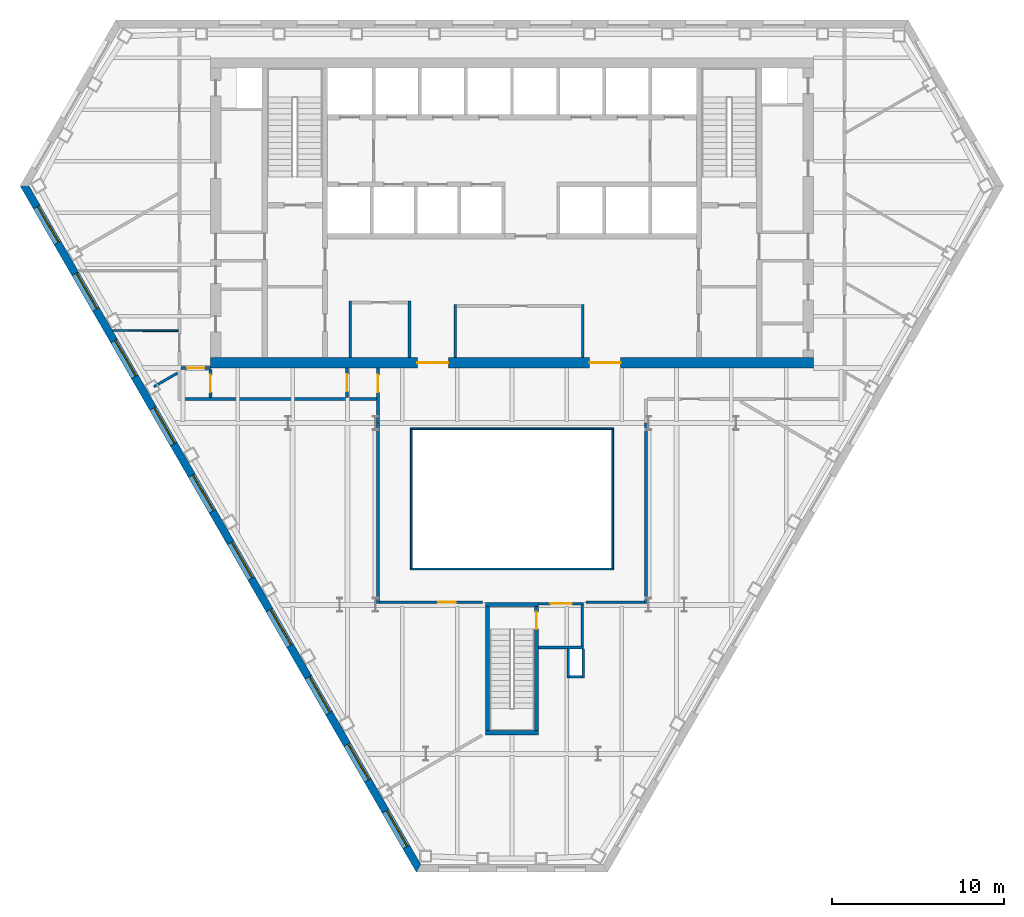
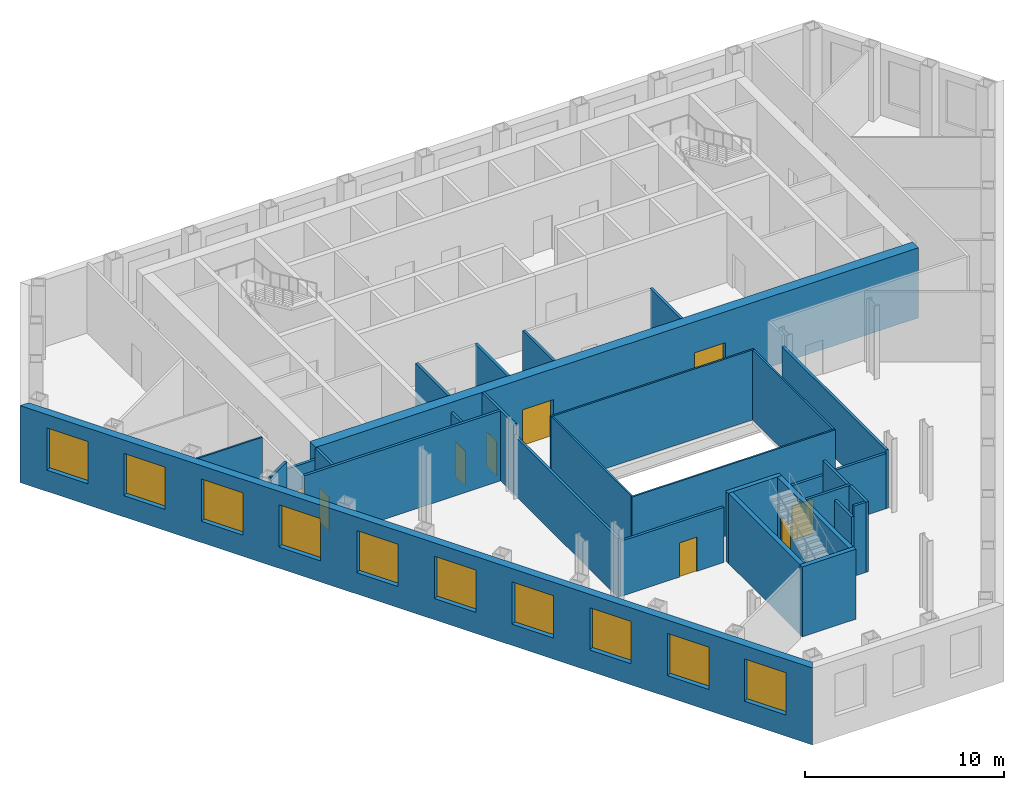
# One storey, part 4 of 11: 31 walls, 10 windows, 9 doors, 19 openings.
"""IFC4 building model written with IfcOpenShell, lengths in metres."""

from ifc_helpers import new_model, si_unit, direction, frame, frame_2d, origin, place, context, subcontext, project, spatial, polyline, rectangle, outline, extrude, material, layer, layer_set, type_object, element, fill, save


model = new_model("IFC4")

# Units and contexts
model_context = context("Model", 3, precision=1e-05, world=origin(), true_north=direction((0.0, 1.0)))
body_context = subcontext(model_context, "Body", "Model", "MODEL_VIEW")
ifc_project = project(units=[si_unit("LENGTHUNIT", "METRE"), si_unit("AREAUNIT", "SQUARE_METRE"), si_unit("VOLUMEUNIT", "CUBIC_METRE"), si_unit("PLANEANGLEUNIT", "RADIAN"), si_unit("MASSUNIT", "GRAM", prefix="KILO")], contexts=[model_context])

# Site, building, storey
site_placement = place(None, origin())
site = spatial("IfcSite", under=ifc_project, at=site_placement, CompositionType="ELEMENT")
building_placement = place(site_placement, origin())
building = spatial("IfcBuilding", under=site, at=building_placement, Name="Njiva Tower", CompositionType="ELEMENT")
storey_placement = place(building_placement, frame((0.0, 0.0, 64.8)))
storey = spatial("IfcBuildingStorey", under=building, at=storey_placement, Name="L13", CompositionType="ELEMENT", Elevation=64.8)

# Walls
ifc_material_1 = material(Name="Blockwork", Category="masonry")
ifc_layer_1 = layer(ifc_material_1, 0.15)
ifc_layer_set_1 = layer_set([ifc_layer_1], Name="Blockwork")
wall_type_1 = type_object("IfcWallType", Name="WT1 Compartment partition 150", PredefinedType="PARTITIONING", material=ifc_layer_set_1)
for number, where, z_axis, x_axis, name in (
    (1, (-9.4, 0.6, 0.0), (0.0, 0.0, 1.0), (0.0, 1.0, 0.0), "Security office wall west"),
    (2, (-5.95, 0.6, 0.0), (0.0, 0.0, 1.0), (0.0, 1.0, 0.0), "Security office wall east"),
):
    element("IfcWall", number, at=place(storey_placement, frame(where, z_axis=z_axis, x_axis=x_axis)), inside=storey, type_object=wall_type_1, Name=name, PredefinedType="PARTITIONING", context=body_context, shape_type="SweptSolid", body=[
        extrude(rectangle(XDim=3.275, YDim=0.15, at=frame_2d((1.6375, 0.0))), origin(), (0.0, 0.0, 1.0), 4.3),
    ])
for number, where, z_axis, x_axis, name in (
    (3, (-3.3, 0.6, 0.0), (0.0, 0.0, 1.0), (0.0, 1.0, 0.0), "Concierge office wall west"),
    (4, (4.1, 0.6, 0.0), (0.0, 0.0, 1.0), (0.0, 1.0, 0.0), "Concierge office wall east"),
):
    element("IfcWall", number, at=place(storey_placement, frame(where, z_axis=z_axis, x_axis=x_axis)), inside=storey, type_object=wall_type_1, Name=name, PredefinedType="PARTITIONING", context=body_context, shape_type="SweptSolid", body=[
        extrude(rectangle(XDim=3.075, YDim=0.15, at=frame_2d((1.5375, 0.0))), origin(), (0.0, 0.0, 1.0), 4.3),
    ])

# Wall, openings, doors
ifc_material_2 = material(Name="Concrete C60/75", Category="concrete")
ifc_layer_2 = layer(ifc_material_2, 0.6)
ifc_layer_set_2 = layer_set([ifc_layer_2], Name="Concrete C60/75")
wall_type_2 = type_object("IfcWallType", Name="WT15 Core wall 600", PredefinedType="SHEAR", material=ifc_layer_set_2)
wall_1_placement = place(storey_placement, frame((-17.5, 0.3, 0.0), z_axis=(0.0, 0.0, 1.0), x_axis=(1.0, 0.0, 0.0)))
wall_1 = element("IfcWall", 5, at=wall_1_placement, inside=storey, type_object=wall_type_2, Name="Core wall south", PredefinedType="SHEAR", context=body_context, shape_type="SweptSolid", body=[
    extrude(rectangle(XDim=35.0, YDim=0.6, at=frame_2d((17.5, 0.0))), origin(), (0.0, 0.0, 1.0), 4.3),
])
opening_1_placement = place(wall_1_placement, frame((12.0, 0.0, 0.0)))
opening_1 = element("IfcOpeningElement", 6, at=opening_1_placement, cuts=wall_1, Name="Opening S04-D935", PredefinedType="OPENING", context=body_context, shape_type="SweptSolid", body=[
    extrude(rectangle(XDim=1.8, YDim=2.4, at=frame_2d((0.9, 1.2))), frame((0.0, 0.31, 0.0), z_axis=(0.0, -1.0, 0.0), x_axis=(1.0, 0.0, 0.0)), (0.0, 0.0, 1.0), 0.62),
])
opening_2_placement = place(wall_1_placement, frame((22.0, 0.0, 0.0)))
opening_2 = element("IfcOpeningElement", 7, at=opening_2_placement, cuts=wall_1, Name="Opening S04-D936", PredefinedType="OPENING", context=body_context, shape_type="SweptSolid", body=[
    extrude(rectangle(XDim=1.8, YDim=2.4, at=frame_2d((0.9, 1.2))), frame((0.0, 0.31, 0.0), z_axis=(0.0, -1.0, 0.0), x_axis=(1.0, 0.0, 0.0)), (0.0, 0.0, 1.0), 0.62),
])
ifc_material_3 = material(Name="Steel and glass door", Category="steel")
door_type_1 = type_object("IfcDoorType", Name="D3 Core entrance door 1800x2400", OperationType="DOUBLE_DOOR_SINGLE_SWING", PredefinedType="DOOR", material=ifc_material_3)
door_1_placement = place(opening_1_placement, origin())
door_1 = element("IfcDoor", 8, at=door_1_placement, inside=storey, type_object=door_type_1, Name="Core entrance door", OperationType="DOUBLE_DOOR_SINGLE_SWING", OverallHeight=2.4, OverallWidth=1.8, PredefinedType="DOOR", context=body_context, shape_type="SweptSolid", body=[
    extrude(rectangle(XDim=1.8, YDim=2.4, at=frame_2d((0.9, 1.2))), frame((0.0, 0.025, 0.0), z_axis=(0.0, -1.0, 0.0), x_axis=(1.0, 0.0, 0.0)), (0.0, 0.0, 1.0), 0.05),
])
fill(opening_1, door_1)
door_2_placement = place(opening_2_placement, origin())
door_2 = element("IfcDoor", 9, at=door_2_placement, inside=storey, type_object=door_type_1, Name="Core entrance door", OperationType="DOUBLE_DOOR_SINGLE_SWING", OverallHeight=2.4, OverallWidth=1.8, PredefinedType="DOOR", context=body_context, shape_type="SweptSolid", body=[
    extrude(rectangle(XDim=1.8, YDim=2.4, at=frame_2d((0.9, 1.2))), frame((0.0, 0.025, 0.0), z_axis=(0.0, -1.0, 0.0), x_axis=(1.0, 0.0, 0.0)), (0.0, 0.0, 1.0), 0.05),
])
fill(opening_2, door_2)

# Walls
ifc_material_4 = material(Name="Gypsum board on steel studs", Category="gypsum")
ifc_layer_3 = layer(ifc_material_4, 0.1)
ifc_layer_set_3 = layer_set([ifc_layer_3], Name="Gypsum board on steel studs")
wall_type_3 = type_object("IfcWallType", Name="WT20 Gypsum partition 100", PredefinedType="PARTITIONING", material=ifc_layer_set_3)
wall_2_placement = place(storey_placement, frame((-23.185, 2.171, 0.0), z_axis=(0.0, 0.0, 1.0), x_axis=(0.999998312223, -0.00183726724, 0.0)))
element("IfcWall", 10, at=wall_2_placement, inside=storey, type_object=wall_type_3, Name="Partition S04-P003", PredefinedType="PARTITIONING", context=body_context, shape_type="SweptSolid", body=[
    extrude(rectangle(XDim=3.81, YDim=0.1, at=frame_2d((1.905, 0.0))), origin(), (0.0, 0.0, 1.0), 4.3),
])
ifc_layer_4 = layer(ifc_material_4, 0.15)
ifc_layer_set_4 = layer_set([ifc_layer_4], Name="Gypsum board on steel studs")
wall_type_4 = type_object("IfcWallType", Name="WT21 Compartment wall 150", PredefinedType="PARTITIONING", material=ifc_layer_set_4)
wall_3_placement = place(storey_placement, frame((-20.787, -1.084, 0.0), z_axis=(0.0, 0.0, 1.0), x_axis=(0.866258995887, 0.499595188173, 0.0)))
element("IfcWall", 11, at=wall_3_placement, inside=storey, type_object=wall_type_4, Name="Partition S04-P004", PredefinedType="PARTITIONING", context=body_context, shape_type="SweptSolid", body=[
    extrude(rectangle(XDim=1.5873, YDim=0.15, at=frame_2d((0.7936, 0.0))), origin(), (0.0, 0.0, 1.0), 4.3),
])
wall_4_placement = place(storey_placement, frame((-19.225, -1.8, 0.0), z_axis=(0.0, 0.0, 1.0), x_axis=(1.0, 0.0, 0.0)))
element("IfcWall", 12, at=wall_4_placement, inside=storey, type_object=wall_type_4, Name="Partition S04-P006", PredefinedType="PARTITIONING", context=body_context, shape_type="SweptSolid", body=[
    extrude(rectangle(XDim=11.37, YDim=0.15, at=frame_2d((5.685, 0.0))), origin(), (0.0, 0.0, 1.0), 4.3),
])

# Wall, opening, door
wall_5_placement = place(storey_placement, frame((-19.225, 0.0, 0.0), z_axis=(0.0, 0.0, 1.0), x_axis=(1.0, 0.0, 0.0)))
wall_5 = element("IfcWall", 13, at=wall_5_placement, inside=storey, type_object=wall_type_4, Name="Partition S04-P007", PredefinedType="PARTITIONING", context=body_context, shape_type="SweptSolid", body=[
    extrude(rectangle(XDim=1.725, YDim=0.15, at=frame_2d((0.8625, 0.0))), origin(), (0.0, 0.0, 1.0), 3.61),
])
opening_3_placement = place(wall_5_placement, frame((0.363, 0.0, 0.0)))
opening_3 = element("IfcOpeningElement", 14, at=opening_3_placement, cuts=wall_5, Name="Opening S04-D005", PredefinedType="OPENING", context=body_context, shape_type="SweptSolid", body=[
    extrude(rectangle(XDim=1.0, YDim=2.1, at=frame_2d((0.5, 1.05))), frame((0.0, 0.085, 0.0), z_axis=(0.0, -1.0, 0.0), x_axis=(1.0, 0.0, 0.0)), (0.0, 0.0, 1.0), 0.17),
])
ifc_material_5 = material(Name="Steel fire door set", Category="steel")
door_type_2 = type_object("IfcDoorType", Name="D37 Fire door 1000x2100", OperationType="SINGLE_SWING_LEFT", PredefinedType="DOOR", material=ifc_material_5)
door_3_placement = place(opening_3_placement, origin())
door_3 = element("IfcDoor", 15, at=door_3_placement, inside=storey, type_object=door_type_2, Name="Door S04-D005", OperationType="SINGLE_SWING_LEFT", OverallHeight=2.1, OverallWidth=1.0, PredefinedType="DOOR", context=body_context, shape_type="SweptSolid", body=[
    extrude(rectangle(XDim=1.0, YDim=2.1, at=frame_2d((0.5, 1.05))), frame((0.0, 0.025, 0.0), z_axis=(0.0, -1.0, 0.0), x_axis=(1.0, 0.0, 0.0)), (0.0, 0.0, 1.0), 0.05),
])
fill(opening_3, door_3)

wall_6_placement = place(storey_placement, frame((-17.5, -1.725, 0.0), z_axis=(0.0, 0.0, 1.0), x_axis=(0.0, 1.0, 0.0)))
wall_6 = element("IfcWall", 16, at=wall_6_placement, inside=storey, type_object=wall_type_4, Name="Partition S04-P008", PredefinedType="PARTITIONING", context=body_context, shape_type="SweptSolid", body=[
    extrude(rectangle(XDim=1.65, YDim=0.15, at=frame_2d((0.825, 0.0))), origin(), (0.0, 0.0, 1.0), 4.3),
])
opening_4_placement = place(wall_6_placement, frame((0.325, 0.0, 0.0)))
opening_4 = element("IfcOpeningElement", 17, at=opening_4_placement, cuts=wall_6, Name="Opening S04-D006", PredefinedType="OPENING", context=body_context, shape_type="SweptSolid", body=[
    extrude(rectangle(XDim=1.0, YDim=2.1, at=frame_2d((0.5, 1.05))), frame((0.0, 0.085, 0.0), z_axis=(0.0, -1.0, 0.0), x_axis=(1.0, 0.0, 0.0)), (0.0, 0.0, 1.0), 0.17),
])
door_4_placement = place(opening_4_placement, origin())
door_4 = element("IfcDoor", 18, at=door_4_placement, inside=storey, type_object=door_type_2, Name="Door S04-D006", OperationType="SINGLE_SWING_LEFT", OverallHeight=2.1, OverallWidth=1.0, PredefinedType="DOOR", context=body_context, shape_type="SweptSolid", body=[
    extrude(rectangle(XDim=1.0, YDim=2.1, at=frame_2d((0.5, 1.05))), frame((0.0, 0.025, 0.0), z_axis=(0.0, -1.0, 0.0), x_axis=(1.0, 0.0, 0.0)), (0.0, 0.0, 1.0), 0.05),
])
fill(opening_4, door_4)

wall_7_placement = place(storey_placement, frame((-9.58, -1.725, 0.0), z_axis=(0.0, 0.0, 1.0), x_axis=(0.0, 1.0, 0.0)))
wall_7 = element("IfcWall", 19, at=wall_7_placement, inside=storey, type_object=wall_type_4, Name="Partition S04-P009", PredefinedType="PARTITIONING", context=body_context, shape_type="SweptSolid", body=[
    extrude(rectangle(XDim=1.725, YDim=0.15, at=frame_2d((0.8625, 0.0))), origin(), (0.0, 0.0, 1.0), 3.7),
])
opening_5_placement = place(wall_7_placement, frame((0.363, 0.0, 0.0)))
opening_5 = element("IfcOpeningElement", 20, at=opening_5_placement, cuts=wall_7, Name="Opening S04-D007", PredefinedType="OPENING", context=body_context, shape_type="SweptSolid", body=[
    extrude(rectangle(XDim=1.0, YDim=2.1, at=frame_2d((0.5, 1.05))), frame((0.0, 0.085, 0.0), z_axis=(0.0, -1.0, 0.0), x_axis=(1.0, 0.0, 0.0)), (0.0, 0.0, 1.0), 0.17),
])
door_5_placement = place(opening_5_placement, origin())
door_5 = element("IfcDoor", 21, at=door_5_placement, inside=storey, type_object=door_type_2, Name="Door S04-D007", OperationType="SINGLE_SWING_LEFT", OverallHeight=2.1, OverallWidth=1.0, PredefinedType="DOOR", context=body_context, shape_type="SweptSolid", body=[
    extrude(rectangle(XDim=1.0, YDim=2.1, at=frame_2d((0.5, 1.05))), frame((0.0, 0.025, 0.0), z_axis=(0.0, -1.0, 0.0), x_axis=(1.0, 0.0, 0.0)), (0.0, 0.0, 1.0), 0.05),
])
fill(opening_5, door_5)

# Wall
wall_8_placement = place(storey_placement, frame((-7.78, -13.675, 0.0), z_axis=(0.0, 0.0, 1.0), x_axis=(0.0, 1.0, 0.0)))
element("IfcWall", 22, at=wall_8_placement, inside=storey, type_object=wall_type_4, Name="Partition S04-P010", PredefinedType="PARTITIONING", context=body_context, shape_type="SweptSolid", body=[
    extrude(rectangle(XDim=10.475, YDim=0.15, at=frame_2d((5.2375, 0.0))), origin(), (0.0, 0.0, 1.0), 3.61),
])

# Wall, opening, door
wall_9_placement = place(storey_placement, frame((-7.78, -3.2, 0.0), z_axis=(0.0, 0.0, 1.0), x_axis=(0.0, 1.0, 0.0)))
wall_9 = element("IfcWall", 23, at=wall_9_placement, inside=storey, type_object=wall_type_4, Name="Partition S04-P010A", PredefinedType="PARTITIONING", context=body_context, shape_type="SweptSolid", body=[
    extrude(rectangle(XDim=3.2, YDim=0.15, at=frame_2d((1.6, 0.0))), origin(), (0.0, 0.0, 1.0), 4.3),
])
opening_6_placement = place(wall_9_placement, frame((1.8, 0.0, 0.0)))
opening_6 = element("IfcOpeningElement", 24, at=opening_6_placement, cuts=wall_9, Name="Opening S04-D008", PredefinedType="OPENING", context=body_context, shape_type="SweptSolid", body=[
    extrude(rectangle(XDim=1.0, YDim=2.1, at=frame_2d((0.5, 1.05))), frame((0.0, 0.085, 0.0), z_axis=(0.0, -1.0, 0.0), x_axis=(1.0, 0.0, 0.0)), (0.0, 0.0, 1.0), 0.17),
])
door_6_placement = place(opening_6_placement, origin())
door_6 = element("IfcDoor", 25, at=door_6_placement, inside=storey, type_object=door_type_2, Name="Door S04-D008", OperationType="SINGLE_SWING_LEFT", OverallHeight=2.1, OverallWidth=1.0, PredefinedType="DOOR", context=body_context, shape_type="SweptSolid", body=[
    extrude(rectangle(XDim=1.0, YDim=2.1, at=frame_2d((0.5, 1.05))), frame((0.0, 0.025, 0.0), z_axis=(0.0, -1.0, 0.0), x_axis=(1.0, 0.0, 0.0)), (0.0, 0.0, 1.0), 0.05),
])
fill(opening_6, door_6)

wall_10_placement = place(storey_placement, frame((-7.705, -13.6, 0.0), z_axis=(0.0, 0.0, 1.0), x_axis=(1.0, 0.0, 0.0)))
wall_10 = element("IfcWall", 26, at=wall_10_placement, inside=storey, type_object=wall_type_4, Name="Partition S04-P011", PredefinedType="PARTITIONING", context=body_context, shape_type="SweptSolid", body=[
    extrude(rectangle(XDim=6.005, YDim=0.15, at=frame_2d((3.0025, 0.0))), origin(), (0.0, 0.0, 1.0), 3.39),
])
opening_7_placement = place(wall_10_placement, frame((3.434, 0.0, 0.0)))
opening_7 = element("IfcOpeningElement", 27, at=opening_7_placement, cuts=wall_10, Name="Opening S04-D009", PredefinedType="OPENING", context=body_context, shape_type="SweptSolid", body=[
    extrude(rectangle(XDim=1.0, YDim=2.1, at=frame_2d((0.5, 1.05))), frame((0.0, 0.085, 0.0), z_axis=(0.0, -1.0, 0.0), x_axis=(1.0, 0.0, 0.0)), (0.0, 0.0, 1.0), 0.17),
])
door_7_placement = place(opening_7_placement, origin())
door_7 = element("IfcDoor", 28, at=door_7_placement, inside=storey, type_object=door_type_2, Name="Door S04-D009", OperationType="SINGLE_SWING_RIGHT", OverallHeight=2.1, OverallWidth=1.0, PredefinedType="DOOR", context=body_context, shape_type="SweptSolid", body=[
    extrude(rectangle(XDim=1.0, YDim=2.1, at=frame_2d((0.5, 1.05))), frame((0.0, 0.025, 0.0), z_axis=(0.0, -1.0, 0.0), x_axis=(1.0, 0.0, 0.0)), (0.0, 0.0, 1.0), 0.05),
])
fill(opening_7, door_7)

# Walls
wall_11_placement = place(storey_placement, frame((4.3, -13.6, 0.0), z_axis=(0.0, 0.0, 1.0), x_axis=(1.0, 0.0, 0.0)))
element("IfcWall", 29, at=wall_11_placement, inside=storey, type_object=wall_type_4, Name="Partition S04-P013", PredefinedType="PARTITIONING", context=body_context, shape_type="SweptSolid", body=[
    extrude(rectangle(XDim=3.405, YDim=0.15, at=frame_2d((1.7025, 0.0))), origin(), (0.0, 0.0, 1.0), 3.39),
])
wall_12_placement = place(storey_placement, frame((7.78, -13.675, 0.0), z_axis=(0.0, 0.0, 1.0), x_axis=(0.0, 1.0, 0.0)))
element("IfcWall", 30, at=wall_12_placement, inside=storey, type_object=wall_type_4, Name="Partition S04-P014", PredefinedType="PARTITIONING", context=body_context, shape_type="SweptSolid", body=[
    extrude(rectangle(XDim=10.475, YDim=0.15, at=frame_2d((5.2375, 0.0))), origin(), (0.0, 0.0, 1.0), 3.61),
])
ifc_layer_5 = layer(ifc_material_1, 0.15)
ifc_layer_set_5 = layer_set([ifc_layer_5], Name="Blockwork")
wall_type_5 = type_object("IfcWallType", Name="WT4 Stair partition 150", PredefinedType="PARTITIONING", material=ifc_layer_set_5)
wall_13_placement = place(storey_placement, frame((1.55, -16.225, 0.0), z_axis=(0.0, 0.0, 1.0), x_axis=(1.0, 0.0, 0.0)))
element("IfcWall", 31, at=wall_13_placement, inside=storey, type_object=wall_type_5, Name="Stair C vestibule wall south", PredefinedType="PARTITIONING", context=body_context, shape_type="SweptSolid", body=[
    extrude(rectangle(XDim=2.6, YDim=0.15, at=frame_2d((1.3, 0.0))), origin(), (0.0, 0.0, 1.0), 4.3),
])
wall_14_placement = place(storey_placement, frame((4.075, -16.15, 0.0), z_axis=(0.0, 0.0, 1.0), x_axis=(0.0, 1.0, 0.0)))
element("IfcWall", 32, at=wall_14_placement, inside=storey, type_object=wall_type_5, Name="Stair C vestibule wall east", PredefinedType="PARTITIONING", context=body_context, shape_type="SweptSolid", body=[
    extrude(rectangle(XDim=2.4, YDim=0.15, at=frame_2d((1.2, 0.0))), origin(), (0.0, 0.0, 1.0), 4.3),
])

# Wall, opening, door
wall_15_placement = place(storey_placement, frame((1.55, -13.675, 0.0), z_axis=(0.0, 0.0, 1.0), x_axis=(1.0, 0.0, 0.0)))
wall_15 = element("IfcWall", 33, at=wall_15_placement, inside=storey, type_object=wall_type_5, Name="Stair C vestibule wall north", PredefinedType="PARTITIONING", context=body_context, shape_type="SweptSolid", body=[
    extrude(rectangle(XDim=2.6, YDim=0.15, at=frame_2d((1.3, 0.0))), origin(), (0.0, 0.0, 1.0), 3.39),
])
opening_8_placement = place(wall_15_placement, frame((0.675, 0.0, 0.0)))
opening_8 = element("IfcOpeningElement", 34, at=opening_8_placement, cuts=wall_15, Name="Opening S04-D938", PredefinedType="OPENING", context=body_context, shape_type="SweptSolid", body=[
    extrude(rectangle(XDim=1.25, YDim=2.1, at=frame_2d((0.625, 1.05))), frame((0.0, 0.085, 0.0), z_axis=(0.0, -1.0, 0.0), x_axis=(1.0, 0.0, 0.0)), (0.0, 0.0, 1.0), 0.17),
])
ifc_material_6 = material(Name="Glazed steel fire door", Category="steel")
door_type_3 = type_object("IfcDoorType", Name="D8 Vestibule corridor door 1250x2100 glazed", OperationType="SINGLE_SWING_LEFT", PredefinedType="DOOR", material=ifc_material_6)
door_8_placement = place(opening_8_placement, origin())
door_8 = element("IfcDoor", 35, at=door_8_placement, inside=storey, type_object=door_type_3, Name="Stair vestibule corridor door", OperationType="SINGLE_SWING_RIGHT", OverallHeight=2.1, OverallWidth=1.25, PredefinedType="DOOR", context=body_context, shape_type="SweptSolid", body=[
    extrude(rectangle(XDim=1.25, YDim=2.1, at=frame_2d((0.625, 1.05))), frame((0.0, 0.025, 0.0), z_axis=(0.0, -1.0, 0.0), x_axis=(1.0, 0.0, 0.0)), (0.0, 0.0, 1.0), 0.05),
])
fill(opening_8, door_8)

# Walls
wall_16_placement = place(storey_placement, frame((3.275, -18.0, 0.0), z_axis=(0.0, 0.0, 1.0), x_axis=(0.0, 1.0, 0.0)))
element("IfcWall", 36, at=wall_16_placement, inside=storey, type_object=wall_type_5, Name="Stair C pressurisation shaft wall", PredefinedType="PARTITIONING", context=body_context, shape_type="SweptSolid", body=[
    extrude(rectangle(XDim=1.7, YDim=0.15, at=frame_2d((0.85, 0.0))), origin(), (0.0, 0.0, 1.0), 3.7),
])
wall_17_placement = place(storey_placement, frame((3.35, -17.925, 0.0), z_axis=(0.0, 0.0, 1.0), x_axis=(1.0, 0.0, 0.0)))
element("IfcWall", 37, at=wall_17_placement, inside=storey, type_object=wall_type_5, Name="Stair C pressurisation shaft wall", PredefinedType="PARTITIONING", context=body_context, shape_type="SweptSolid", body=[
    extrude(rectangle(XDim=0.7, YDim=0.15, at=frame_2d((0.35, 0.0))), origin(), (0.0, 0.0, 1.0), 4.3),
])
wall_18_placement = place(storey_placement, frame((4.125, -18.0, 0.0), z_axis=(0.0, 0.0, 1.0), x_axis=(0.0, 1.0, 0.0)))
element("IfcWall", 38, at=wall_18_placement, inside=storey, type_object=wall_type_5, Name="Stair C pressurisation shaft wall", PredefinedType="PARTITIONING", context=body_context, shape_type="SweptSolid", body=[
    extrude(rectangle(XDim=1.7, YDim=0.15, at=frame_2d((0.85, 0.0))), origin(), (0.0, 0.0, 1.0), 4.3),
])
ifc_material_7 = material(Name="Concrete C40/50", Category="concrete")
ifc_layer_6 = layer(ifc_material_7, 0.25)
ifc_layer_set_6 = layer_set([ifc_layer_6], Name="Concrete C40/50")
wall_type_6 = type_object("IfcWallType", Name="WT9 Stair enclosure wall 250", PredefinedType="SHEAR", material=ifc_layer_set_6)
wall_19_placement = place(storey_placement, frame((-1.425, -21.05, 0.0), z_axis=(0.0, 0.0, 1.0), x_axis=(0.0, 1.0, 0.0)))
element("IfcWall", 39, at=wall_19_placement, inside=storey, type_object=wall_type_6, Name="Stair C wall west", PredefinedType="SHEAR", context=body_context, shape_type="SweptSolid", body=[
    extrude(rectangle(XDim=7.2, YDim=0.25, at=frame_2d((3.6, 0.0))), origin(), (0.0, 0.0, 1.0), 4.3),
])

# Wall, opening, door
wall_20_placement = place(storey_placement, frame((1.425, -21.05, 0.0), z_axis=(0.0, 0.0, 1.0), x_axis=(0.0, 1.0, 0.0)))
wall_20 = element("IfcWall", 40, at=wall_20_placement, inside=storey, type_object=wall_type_6, Name="Stair C wall east", PredefinedType="SHEAR", context=body_context, shape_type="SweptSolid", body=[
    extrude(rectangle(XDim=7.2, YDim=0.25, at=frame_2d((3.6, 0.0))), origin(), (0.0, 0.0, 1.0), 4.3),
])
opening_9_placement = place(wall_20_placement, frame((5.89, 0.0, 0.0)))
opening_9 = element("IfcOpeningElement", 41, at=opening_9_placement, cuts=wall_20, Name="Opening S04-D937", PredefinedType="OPENING", context=body_context, shape_type="SweptSolid", body=[
    extrude(rectangle(XDim=1.0, YDim=2.1, at=frame_2d((0.5, 1.05))), frame((0.0, 0.135, 0.0), z_axis=(0.0, -1.0, 0.0), x_axis=(1.0, 0.0, 0.0)), (0.0, 0.0, 1.0), 0.27),
])
door_type_4 = type_object("IfcDoorType", Name="D9 Stair vestibule door 1000x2100 glazed", OperationType="SINGLE_SWING_LEFT", PredefinedType="DOOR", material=ifc_material_6)
door_9_placement = place(opening_9_placement, origin())
door_9 = element("IfcDoor", 42, at=door_9_placement, inside=storey, type_object=door_type_4, Name="Stair C door", OperationType="SINGLE_SWING_LEFT", OverallHeight=2.1, OverallWidth=1.0, PredefinedType="DOOR", context=body_context, shape_type="SweptSolid", body=[
    extrude(rectangle(XDim=1.0, YDim=2.1, at=frame_2d((0.5, 1.05))), frame((0.0, 0.025, 0.0), z_axis=(0.0, -1.0, 0.0), x_axis=(1.0, 0.0, 0.0)), (0.0, 0.0, 1.0), 0.05),
])
fill(opening_9, door_9)

# Walls
for number, where, z_axis, x_axis, name in (
    (43, (-1.55, -21.175, 0.0), (0.0, 0.0, 1.0), (1.0, 0.0, 0.0), "Stair C wall south"),
    (44, (-1.55, -13.725, 0.0), (0.0, 0.0, 1.0), (1.0, 0.0, 0.0), "Stair C wall north"),
):
    element("IfcWall", number, at=place(storey_placement, frame(where, z_axis=z_axis, x_axis=x_axis)), inside=storey, type_object=wall_type_6, Name=name, PredefinedType="SHEAR", context=body_context, shape_type="SweptSolid", body=[
        extrude(rectangle(XDim=3.1, YDim=0.25, at=frame_2d((1.55, 0.0))), origin(), (0.0, 0.0, 1.0), 4.3),
    ])

# Wall, openings, windows
ifc_material_8 = material(Name="Brick masonry", Category="masonry")
ifc_layer_7 = layer(ifc_material_8, 0.45)
ifc_layer_set_7 = layer_set([ifc_layer_7], Name="Brick masonry")
wall_type_7 = type_object("IfcWallType", Name="WT90 Brick pier and spandrel wall 450", PredefinedType="SOLIDWALL", material=ifc_layer_set_7)
wall_21_placement = place(storey_placement, frame((-28.3002, 10.5785, -0.4), z_axis=(0.0, 0.0, 1.0), x_axis=(0.499999388847, -0.866025756634, 0.0)))
wall_21 = element("IfcWall", 45, at=wall_21_placement, inside=storey, type_object=wall_type_7, Name="Facade wall SW", PredefinedType="SOLIDWALL", context=body_context, shape_type="SweptSolid", body=[
    extrude(outline(polyline([(-0.1299, -0.225), (45.8802, -0.225), (45.6204, 0.225), (0.1299, 0.225), (-0.1299, -0.225)])), origin(), (0.0, 0.0, 1.0), 4.72),
])
opening_10_placement = place(wall_21_placement, frame((1.4247, 0.0, 1.3)))
opening_10 = element("IfcOpeningElement", 46, at=opening_10_placement, cuts=wall_21, Name="Opening S04-W12", PredefinedType="OPENING", context=body_context, shape_type="SweptSolid", body=[
    extrude(rectangle(XDim=2.4, YDim=2.6, at=frame_2d((1.2, 1.3))), frame((0.0, 0.235, 0.0), z_axis=(0.0, -1.0, 0.0), x_axis=(1.0, 0.0, 0.0)), (0.0, 0.0, 1.0), 0.47),
])
opening_11_placement = place(wall_21_placement, frame((5.8949, 0.0, 1.3)))
opening_11 = element("IfcOpeningElement", 47, at=opening_11_placement, cuts=wall_21, Name="Opening S04-W13", PredefinedType="OPENING", context=body_context, shape_type="SweptSolid", body=[
    extrude(rectangle(XDim=2.4, YDim=2.6, at=frame_2d((1.2, 1.3))), frame((0.0, 0.235, 0.0), z_axis=(0.0, -1.0, 0.0), x_axis=(1.0, 0.0, 0.0)), (0.0, 0.0, 1.0), 0.47),
])
opening_12_placement = place(wall_21_placement, frame((10.4035, 0.0, 1.3)))
opening_12 = element("IfcOpeningElement", 48, at=opening_12_placement, cuts=wall_21, Name="Opening S04-W14", PredefinedType="OPENING", context=body_context, shape_type="SweptSolid", body=[
    extrude(rectangle(XDim=2.4, YDim=2.6, at=frame_2d((1.2, 1.3))), frame((0.0, 0.235, 0.0), z_axis=(0.0, -1.0, 0.0), x_axis=(1.0, 0.0, 0.0)), (0.0, 0.0, 1.0), 0.47),
])
opening_13_placement = place(wall_21_placement, frame((14.9122, 0.0, 1.3)))
opening_13 = element("IfcOpeningElement", 49, at=opening_13_placement, cuts=wall_21, Name="Opening S04-W15", PredefinedType="OPENING", context=body_context, shape_type="SweptSolid", body=[
    extrude(rectangle(XDim=2.4, YDim=2.6, at=frame_2d((1.2, 1.3))), frame((0.0, 0.235, 0.0), z_axis=(0.0, -1.0, 0.0), x_axis=(1.0, 0.0, 0.0)), (0.0, 0.0, 1.0), 0.47),
])
opening_14_placement = place(wall_21_placement, frame((19.4208, 0.0, 1.3)))
opening_14 = element("IfcOpeningElement", 50, at=opening_14_placement, cuts=wall_21, Name="Opening S04-W16", PredefinedType="OPENING", context=body_context, shape_type="SweptSolid", body=[
    extrude(rectangle(XDim=2.4, YDim=2.6, at=frame_2d((1.2, 1.3))), frame((0.0, 0.235, 0.0), z_axis=(0.0, -1.0, 0.0), x_axis=(1.0, 0.0, 0.0)), (0.0, 0.0, 1.0), 0.47),
])
opening_15_placement = place(wall_21_placement, frame((23.9294, 0.0, 1.3)))
opening_15 = element("IfcOpeningElement", 51, at=opening_15_placement, cuts=wall_21, Name="Opening S04-W17", PredefinedType="OPENING", context=body_context, shape_type="SweptSolid", body=[
    extrude(rectangle(XDim=2.4, YDim=2.6, at=frame_2d((1.2, 1.3))), frame((0.0, 0.235, 0.0), z_axis=(0.0, -1.0, 0.0), x_axis=(1.0, 0.0, 0.0)), (0.0, 0.0, 1.0), 0.47),
])
opening_16_placement = place(wall_21_placement, frame((28.438, 0.0, 1.3)))
opening_16 = element("IfcOpeningElement", 52, at=opening_16_placement, cuts=wall_21, Name="Opening S04-W18", PredefinedType="OPENING", context=body_context, shape_type="SweptSolid", body=[
    extrude(rectangle(XDim=2.4, YDim=2.6, at=frame_2d((1.2, 1.3))), frame((0.0, 0.235, 0.0), z_axis=(0.0, -1.0, 0.0), x_axis=(1.0, 0.0, 0.0)), (0.0, 0.0, 1.0), 0.47),
])
opening_17_placement = place(wall_21_placement, frame((32.9466, 0.0, 1.3)))
opening_17 = element("IfcOpeningElement", 53, at=opening_17_placement, cuts=wall_21, Name="Opening S04-W19", PredefinedType="OPENING", context=body_context, shape_type="SweptSolid", body=[
    extrude(rectangle(XDim=2.4, YDim=2.6, at=frame_2d((1.2, 1.3))), frame((0.0, 0.235, 0.0), z_axis=(0.0, -1.0, 0.0), x_axis=(1.0, 0.0, 0.0)), (0.0, 0.0, 1.0), 0.47),
])
opening_18_placement = place(wall_21_placement, frame((37.4553, 0.0, 1.3)))
opening_18 = element("IfcOpeningElement", 54, at=opening_18_placement, cuts=wall_21, Name="Opening S04-W20", PredefinedType="OPENING", context=body_context, shape_type="SweptSolid", body=[
    extrude(rectangle(XDim=2.4, YDim=2.6, at=frame_2d((1.2, 1.3))), frame((0.0, 0.235, 0.0), z_axis=(0.0, -1.0, 0.0), x_axis=(1.0, 0.0, 0.0)), (0.0, 0.0, 1.0), 0.47),
])
opening_19_placement = place(wall_21_placement, frame((41.9255, 0.0, 1.3)))
opening_19 = element("IfcOpeningElement", 55, at=opening_19_placement, cuts=wall_21, Name="Opening S04-W21", PredefinedType="OPENING", context=body_context, shape_type="SweptSolid", body=[
    extrude(rectangle(XDim=2.4, YDim=2.6, at=frame_2d((1.2, 1.3))), frame((0.0, 0.235, 0.0), z_axis=(0.0, -1.0, 0.0), x_axis=(1.0, 0.0, 0.0)), (0.0, 0.0, 1.0), 0.47),
])
ifc_material_9 = material(Name="Clear glazing in aluminium frame", Category="aluminium")
window_type = type_object("IfcWindowType", Name="W92 Deep-set window 2400x2600", PartitioningType="SINGLE_PANEL", PredefinedType="WINDOW", material=ifc_material_9)
window_1_placement = place(opening_10_placement, origin())
window_1 = element("IfcWindow", 56, at=window_1_placement, inside=storey, type_object=window_type, Name="Window", OverallHeight=2.6, OverallWidth=2.4, PartitioningType="SINGLE_PANEL", PredefinedType="WINDOW", context=body_context, shape_type="SweptSolid", body=[
    extrude(rectangle(XDim=2.4, YDim=2.6, at=frame_2d((1.2, 1.3))), frame((0.0, 0.105, 0.0), z_axis=(0.0, -1.0, 0.0), x_axis=(1.0, 0.0, 0.0)), (0.0, 0.0, 1.0), 0.06),
])
fill(opening_10, window_1)
window_2_placement = place(opening_11_placement, origin())
window_2 = element("IfcWindow", 57, at=window_2_placement, inside=storey, type_object=window_type, Name="Window", OverallHeight=2.6, OverallWidth=2.4, PartitioningType="SINGLE_PANEL", PredefinedType="WINDOW", context=body_context, shape_type="SweptSolid", body=[
    extrude(rectangle(XDim=2.4, YDim=2.6, at=frame_2d((1.2, 1.3))), frame((0.0, 0.105, 0.0), z_axis=(0.0, -1.0, 0.0), x_axis=(1.0, 0.0, 0.0)), (0.0, 0.0, 1.0), 0.06),
])
fill(opening_11, window_2)
window_3_placement = place(opening_12_placement, origin())
window_3 = element("IfcWindow", 58, at=window_3_placement, inside=storey, type_object=window_type, Name="Window", OverallHeight=2.6, OverallWidth=2.4, PartitioningType="SINGLE_PANEL", PredefinedType="WINDOW", context=body_context, shape_type="SweptSolid", body=[
    extrude(rectangle(XDim=2.4, YDim=2.6, at=frame_2d((1.2, 1.3))), frame((0.0, 0.105, 0.0), z_axis=(0.0, -1.0, 0.0), x_axis=(1.0, 0.0, 0.0)), (0.0, 0.0, 1.0), 0.06),
])
fill(opening_12, window_3)
window_4_placement = place(opening_13_placement, origin())
window_4 = element("IfcWindow", 59, at=window_4_placement, inside=storey, type_object=window_type, Name="Window", OverallHeight=2.6, OverallWidth=2.4, PartitioningType="SINGLE_PANEL", PredefinedType="WINDOW", context=body_context, shape_type="SweptSolid", body=[
    extrude(rectangle(XDim=2.4, YDim=2.6, at=frame_2d((1.2, 1.3))), frame((0.0, 0.105, 0.0), z_axis=(0.0, -1.0, 0.0), x_axis=(1.0, 0.0, 0.0)), (0.0, 0.0, 1.0), 0.06),
])
fill(opening_13, window_4)
window_5_placement = place(opening_14_placement, origin())
window_5 = element("IfcWindow", 60, at=window_5_placement, inside=storey, type_object=window_type, Name="Window", OverallHeight=2.6, OverallWidth=2.4, PartitioningType="SINGLE_PANEL", PredefinedType="WINDOW", context=body_context, shape_type="SweptSolid", body=[
    extrude(rectangle(XDim=2.4, YDim=2.6, at=frame_2d((1.2, 1.3))), frame((0.0, 0.105, 0.0), z_axis=(0.0, -1.0, 0.0), x_axis=(1.0, 0.0, 0.0)), (0.0, 0.0, 1.0), 0.06),
])
fill(opening_14, window_5)
window_6_placement = place(opening_15_placement, origin())
window_6 = element("IfcWindow", 61, at=window_6_placement, inside=storey, type_object=window_type, Name="Window", OverallHeight=2.6, OverallWidth=2.4, PartitioningType="SINGLE_PANEL", PredefinedType="WINDOW", context=body_context, shape_type="SweptSolid", body=[
    extrude(rectangle(XDim=2.4, YDim=2.6, at=frame_2d((1.2, 1.3))), frame((0.0, 0.105, 0.0), z_axis=(0.0, -1.0, 0.0), x_axis=(1.0, 0.0, 0.0)), (0.0, 0.0, 1.0), 0.06),
])
fill(opening_15, window_6)
window_7_placement = place(opening_16_placement, origin())
window_7 = element("IfcWindow", 62, at=window_7_placement, inside=storey, type_object=window_type, Name="Window", OverallHeight=2.6, OverallWidth=2.4, PartitioningType="SINGLE_PANEL", PredefinedType="WINDOW", context=body_context, shape_type="SweptSolid", body=[
    extrude(rectangle(XDim=2.4, YDim=2.6, at=frame_2d((1.2, 1.3))), frame((0.0, 0.105, 0.0), z_axis=(0.0, -1.0, 0.0), x_axis=(1.0, 0.0, 0.0)), (0.0, 0.0, 1.0), 0.06),
])
fill(opening_16, window_7)
window_8_placement = place(opening_17_placement, origin())
window_8 = element("IfcWindow", 63, at=window_8_placement, inside=storey, type_object=window_type, Name="Window", OverallHeight=2.6, OverallWidth=2.4, PartitioningType="SINGLE_PANEL", PredefinedType="WINDOW", context=body_context, shape_type="SweptSolid", body=[
    extrude(rectangle(XDim=2.4, YDim=2.6, at=frame_2d((1.2, 1.3))), frame((0.0, 0.105, 0.0), z_axis=(0.0, -1.0, 0.0), x_axis=(1.0, 0.0, 0.0)), (0.0, 0.0, 1.0), 0.06),
])
fill(opening_17, window_8)
window_9_placement = place(opening_18_placement, origin())
window_9 = element("IfcWindow", 64, at=window_9_placement, inside=storey, type_object=window_type, Name="Window", OverallHeight=2.6, OverallWidth=2.4, PartitioningType="SINGLE_PANEL", PredefinedType="WINDOW", context=body_context, shape_type="SweptSolid", body=[
    extrude(rectangle(XDim=2.4, YDim=2.6, at=frame_2d((1.2, 1.3))), frame((0.0, 0.105, 0.0), z_axis=(0.0, -1.0, 0.0), x_axis=(1.0, 0.0, 0.0)), (0.0, 0.0, 1.0), 0.06),
])
fill(opening_18, window_9)
window_10_placement = place(opening_19_placement, origin())
window_10 = element("IfcWindow", 65, at=window_10_placement, inside=storey, type_object=window_type, Name="Window", OverallHeight=2.6, OverallWidth=2.4, PartitioningType="SINGLE_PANEL", PredefinedType="WINDOW", context=body_context, shape_type="SweptSolid", body=[
    extrude(rectangle(XDim=2.4, YDim=2.6, at=frame_2d((1.2, 1.3))), frame((0.0, 0.105, 0.0), z_axis=(0.0, -1.0, 0.0), x_axis=(1.0, 0.0, 0.0)), (0.0, 0.0, 1.0), 0.06),
])
fill(opening_19, window_10)

# Walls
ifc_material_10 = material(Name="Fire-resisting glazing EI 90", Category="glass")
ifc_layer_8 = layer(ifc_material_10, 0.1)
ifc_layer_set_8 = layer_set([ifc_layer_8], Name="Fire-resisting glazing EI 90")
wall_type_8 = type_object("IfcWallType", Name="WT95 Fire-resisting glazed screen EI 90", PredefinedType="PARTITIONING", material=ifc_layer_set_8)
wall_22_placement = place(storey_placement, frame((-5.9, -11.67, 0.0), z_axis=(0.0, 0.0, 1.0), x_axis=(1.0, 0.0, 0.0)))
element("IfcWall", 66, at=wall_22_placement, inside=storey, type_object=wall_type_8, Name="Atrium fire screen south", PredefinedType="PARTITIONING", context=body_context, shape_type="SweptSolid", body=[
    extrude(rectangle(XDim=11.8, YDim=0.1, at=frame_2d((5.9, 0.0))), origin(), (0.0, 0.0, 1.0), 4.3),
])
wall_23_placement = place(storey_placement, frame((5.85, -11.62, 0.0), z_axis=(0.0, 0.0, 1.0), x_axis=(0.0, 1.0, 0.0)))
element("IfcWall", 67, at=wall_23_placement, inside=storey, type_object=wall_type_8, Name="Atrium fire screen east", PredefinedType="PARTITIONING", context=body_context, shape_type="SweptSolid", body=[
    extrude(rectangle(XDim=8.04, YDim=0.1, at=frame_2d((4.02, 0.0))), origin(), (0.0, 0.0, 1.0), 4.3),
])
wall_24_placement = place(storey_placement, frame((5.9, -3.53, 0.0), z_axis=(0.0, 0.0, 1.0), x_axis=(-1.0, 0.0, 0.0)))
element("IfcWall", 68, at=wall_24_placement, inside=storey, type_object=wall_type_8, Name="Atrium fire screen north", PredefinedType="PARTITIONING", context=body_context, shape_type="SweptSolid", body=[
    extrude(rectangle(XDim=11.8, YDim=0.1, at=frame_2d((5.9, 0.0))), origin(), (0.0, 0.0, 1.0), 4.3),
])
wall_25_placement = place(storey_placement, frame((-5.85, -3.58, 0.0), z_axis=(0.0, 0.0, 1.0), x_axis=(0.0, -1.0, 0.0)))
element("IfcWall", 69, at=wall_25_placement, inside=storey, type_object=wall_type_8, Name="Atrium fire screen west", PredefinedType="PARTITIONING", context=body_context, shape_type="SweptSolid", body=[
    extrude(rectangle(XDim=8.04, YDim=0.1, at=frame_2d((4.02, 0.0))), origin(), (0.0, 0.0, 1.0), 4.3),
])

save(model, "model.ifc")
